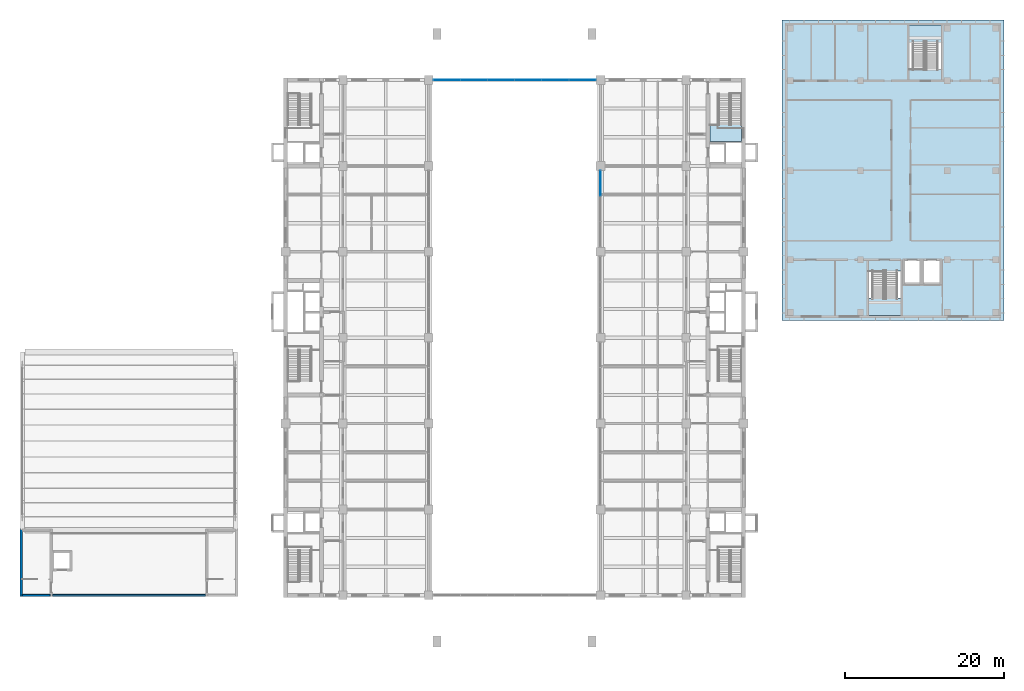
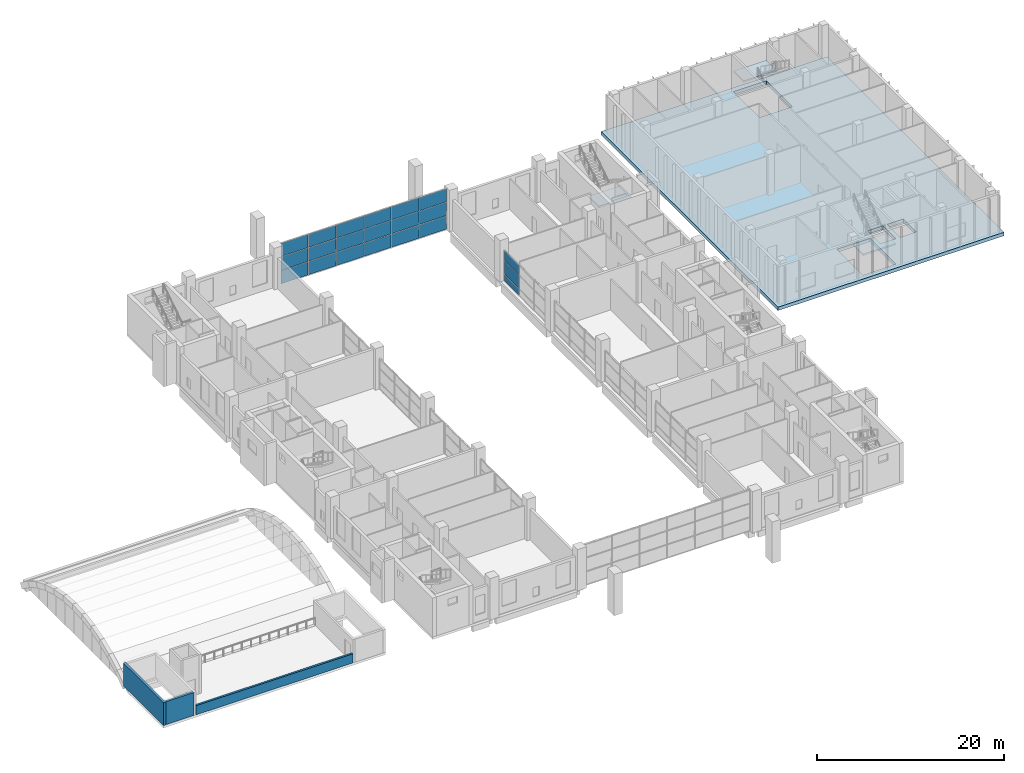
# One storey, part 15 of 32: 21 plates, 4 slabs, 3 walls, 5 elements without a shape of their own.
"""IFC4 building model written with IfcOpenShell, lengths in metres."""

from ifc_helpers import new_model, si_unit, direction, frame, frame_2d, origin, origin_2d, place, context, subcontext, project, spatial, polyline, rectangle, outline, extrude, material, layer, layer_set, type_object, element, aggregate, save


model = new_model("IFC4")

# Units and contexts
model_context = context("Model", 3, precision=1e-05, world=origin(), true_north=direction((0.0, 1.0)))
body_context = subcontext(model_context, "Body", "Model", "MODEL_VIEW")
ifc_project = project(units=[si_unit("LENGTHUNIT", "METRE"), si_unit("AREAUNIT", "SQUARE_METRE"), si_unit("VOLUMEUNIT", "CUBIC_METRE"), si_unit("PLANEANGLEUNIT", "RADIAN"), si_unit("MASSUNIT", "GRAM", prefix="KILO")], contexts=[model_context])

# Site, building, storey
site_placement = place(None, origin())
site = spatial("IfcSite", under=ifc_project, at=site_placement, CompositionType="ELEMENT")
building_placement = place(site_placement, origin())
building = spatial("IfcBuilding", under=site, at=building_placement, Name="Basin Gate Institute", CompositionType="ELEMENT")
storey_placement = place(building_placement, frame((0.0, 0.0, 11.39990234375)))
storey = spatial("IfcBuildingStorey", under=building, at=storey_placement, Name="L02", CompositionType="ELEMENT", Elevation=11.39990234375)

# Curtain wall, plates
ifc_material_1 = material(Name="Aluminium and glass curtain wall", Category="aluminium")
ifc_layer_1 = layer(ifc_material_1, 0.14990234375)
ifc_layer_set_1 = layer_set([ifc_layer_1], Name="Atrium curtain wall CW81")
curtain_wall_type_1 = type_object("IfcCurtainWallType", Name="Atrium curtain wall CW81", PredefinedType="NOTDEFINED", material=ifc_layer_set_1)
curtain_wall_1_placement = place(storey_placement, origin())
curtain_wall_1 = element("IfcCurtainWall", 1, at=curtain_wall_1_placement, inside=storey, type_object=curtain_wall_type_1, material=ifc_layer_set_1, Name="Atrium end screen N L02", PredefinedType="NOTDEFINED")
ifc_material_2 = material(Name="Toughened glass", Category="glass")
ifc_layer_2 = layer(ifc_material_2, 0.028076171875)
ifc_layer_set_2 = layer_set([ifc_layer_2], Name="Atrium glass panel PN81")
plate_type_1 = type_object("IfcPlateType", Name="Atrium glass panel PN81", PredefinedType="CURTAIN_PANEL", material=ifc_layer_set_2)
plate_1_placement = place(storey_placement, frame((81.473388671875, 99.89990234375, 0.06005859375), z_axis=(0.0, 0.0, 1.0), x_axis=(1.0, 0.0, 0.0)))
plate_1 = element("IfcPlate", 2, at=plate_1_placement, type_object=plate_type_1, material=ifc_layer_set_2, Name="CW81 panel 1.1", PredefinedType="CURTAIN_PANEL", context=body_context, shape_type="SweptSolid", body=[
    extrude(rectangle(XDim=3.32666015625, YDim=0.028076171875, at=origin_2d()), origin(), (0.0, 0.0, 1.0), 1.7099609375),
])
plate_2_placement = place(storey_placement, frame((81.473388671875, 99.89990234375, 1.830078125), z_axis=(0.0, 0.0, 1.0), x_axis=(1.0, 0.0, 0.0)))
plate_2 = element("IfcPlate", 3, at=plate_2_placement, type_object=plate_type_1, material=ifc_layer_set_2, Name="CW81 panel 1.2", PredefinedType="CURTAIN_PANEL", context=body_context, shape_type="SweptSolid", body=[
    extrude(rectangle(XDim=3.32666015625, YDim=0.028076171875, at=origin_2d()), origin(), (0.0, 0.0, 1.0), 1.739990234375),
])
plate_3_placement = place(storey_placement, frame((81.473388671875, 99.89990234375, 3.630126953125), z_axis=(0.0, 0.0, 1.0), x_axis=(1.0, 0.0, 0.0)))
plate_3 = element("IfcPlate", 4, at=plate_3_placement, type_object=plate_type_1, material=ifc_layer_set_2, Name="CW81 panel 1.3", PredefinedType="CURTAIN_PANEL", context=body_context, shape_type="SweptSolid", body=[
    extrude(rectangle(XDim=3.32666015625, YDim=0.028076171875, at=origin_2d()), origin(), (0.0, 0.0, 1.0), 1.7099609375),
])
plate_4_placement = place(storey_placement, frame((84.875, 99.89990234375, 0.06005859375), z_axis=(0.0, 0.0, 1.0), x_axis=(1.0, 0.0, 0.0)))
plate_4 = element("IfcPlate", 5, at=plate_4_placement, type_object=plate_type_1, material=ifc_layer_set_2, Name="CW81 panel 2.1", PredefinedType="CURTAIN_PANEL", context=body_context, shape_type="SweptSolid", body=[
    extrude(rectangle(XDim=3.356689453125, YDim=0.028076171875, at=origin_2d()), origin(), (0.0, 0.0, 1.0), 1.7099609375),
])
plate_5_placement = place(storey_placement, frame((84.875, 99.89990234375, 1.830078125), z_axis=(0.0, 0.0, 1.0), x_axis=(1.0, 0.0, 0.0)))
plate_5 = element("IfcPlate", 6, at=plate_5_placement, type_object=plate_type_1, material=ifc_layer_set_2, Name="CW81 panel 2.2", PredefinedType="CURTAIN_PANEL", context=body_context, shape_type="SweptSolid", body=[
    extrude(rectangle(XDim=3.356689453125, YDim=0.028076171875, at=origin_2d()), origin(), (0.0, 0.0, 1.0), 1.739990234375),
])
plate_6_placement = place(storey_placement, frame((84.875, 99.89990234375, 3.630126953125), z_axis=(0.0, 0.0, 1.0), x_axis=(1.0, 0.0, 0.0)))
plate_6 = element("IfcPlate", 7, at=plate_6_placement, type_object=plate_type_1, material=ifc_layer_set_2, Name="CW81 panel 2.3", PredefinedType="CURTAIN_PANEL", context=body_context, shape_type="SweptSolid", body=[
    extrude(rectangle(XDim=3.356689453125, YDim=0.028076171875, at=origin_2d()), origin(), (0.0, 0.0, 1.0), 1.7099609375),
])
plate_7_placement = place(storey_placement, frame((88.291748046875, 99.89990234375, 0.06005859375), z_axis=(0.0, 0.0, 1.0), x_axis=(1.0, 0.0, 0.0)))
plate_7 = element("IfcPlate", 8, at=plate_7_placement, type_object=plate_type_1, material=ifc_layer_set_2, Name="CW81 panel 3.1", PredefinedType="CURTAIN_PANEL", context=body_context, shape_type="SweptSolid", body=[
    extrude(rectangle(XDim=3.356689453125, YDim=0.028076171875, at=origin_2d()), origin(), (0.0, 0.0, 1.0), 1.7099609375),
])
plate_8_placement = place(storey_placement, frame((88.291748046875, 99.89990234375, 1.830078125), z_axis=(0.0, 0.0, 1.0), x_axis=(1.0, 0.0, 0.0)))
plate_8 = element("IfcPlate", 9, at=plate_8_placement, type_object=plate_type_1, material=ifc_layer_set_2, Name="CW81 panel 3.2", PredefinedType="CURTAIN_PANEL", context=body_context, shape_type="SweptSolid", body=[
    extrude(rectangle(XDim=3.356689453125, YDim=0.028076171875, at=origin_2d()), origin(), (0.0, 0.0, 1.0), 1.739990234375),
])
plate_9_placement = place(storey_placement, frame((88.291748046875, 99.89990234375, 3.630126953125), z_axis=(0.0, 0.0, 1.0), x_axis=(1.0, 0.0, 0.0)))
plate_9 = element("IfcPlate", 10, at=plate_9_placement, type_object=plate_type_1, material=ifc_layer_set_2, Name="CW81 panel 3.3", PredefinedType="CURTAIN_PANEL", context=body_context, shape_type="SweptSolid", body=[
    extrude(rectangle(XDim=3.356689453125, YDim=0.028076171875, at=origin_2d()), origin(), (0.0, 0.0, 1.0), 1.7099609375),
])
plate_10_placement = place(storey_placement, frame((91.708251953125, 99.89990234375, 0.06005859375), z_axis=(0.0, 0.0, 1.0), x_axis=(1.0, 0.0, 0.0)))
plate_10 = element("IfcPlate", 11, at=plate_10_placement, type_object=plate_type_1, material=ifc_layer_set_2, Name="CW81 panel 4.1", PredefinedType="CURTAIN_PANEL", context=body_context, shape_type="SweptSolid", body=[
    extrude(rectangle(XDim=3.356689453125, YDim=0.028076171875, at=origin_2d()), origin(), (0.0, 0.0, 1.0), 1.7099609375),
])
plate_11_placement = place(storey_placement, frame((91.708251953125, 99.89990234375, 1.830078125), z_axis=(0.0, 0.0, 1.0), x_axis=(1.0, 0.0, 0.0)))
plate_11 = element("IfcPlate", 12, at=plate_11_placement, type_object=plate_type_1, material=ifc_layer_set_2, Name="CW81 panel 4.2", PredefinedType="CURTAIN_PANEL", context=body_context, shape_type="SweptSolid", body=[
    extrude(rectangle(XDim=3.356689453125, YDim=0.028076171875, at=origin_2d()), origin(), (0.0, 0.0, 1.0), 1.739990234375),
])
plate_12_placement = place(storey_placement, frame((91.708251953125, 99.89990234375, 3.630126953125), z_axis=(0.0, 0.0, 1.0), x_axis=(1.0, 0.0, 0.0)))
plate_12 = element("IfcPlate", 13, at=plate_12_placement, type_object=plate_type_1, material=ifc_layer_set_2, Name="CW81 panel 4.3", PredefinedType="CURTAIN_PANEL", context=body_context, shape_type="SweptSolid", body=[
    extrude(rectangle(XDim=3.356689453125, YDim=0.028076171875, at=origin_2d()), origin(), (0.0, 0.0, 1.0), 1.7099609375),
])
plate_13_placement = place(storey_placement, frame((95.125, 99.89990234375, 0.06005859375), z_axis=(0.0, 0.0, 1.0), x_axis=(1.0, 0.0, 0.0)))
plate_13 = element("IfcPlate", 14, at=plate_13_placement, type_object=plate_type_1, material=ifc_layer_set_2, Name="CW81 panel 5.1", PredefinedType="CURTAIN_PANEL", context=body_context, shape_type="SweptSolid", body=[
    extrude(rectangle(XDim=3.356689453125, YDim=0.028076171875, at=origin_2d()), origin(), (0.0, 0.0, 1.0), 1.7099609375),
])
plate_14_placement = place(storey_placement, frame((95.125, 99.89990234375, 1.830078125), z_axis=(0.0, 0.0, 1.0), x_axis=(1.0, 0.0, 0.0)))
plate_14 = element("IfcPlate", 15, at=plate_14_placement, type_object=plate_type_1, material=ifc_layer_set_2, Name="CW81 panel 5.2", PredefinedType="CURTAIN_PANEL", context=body_context, shape_type="SweptSolid", body=[
    extrude(rectangle(XDim=3.356689453125, YDim=0.028076171875, at=origin_2d()), origin(), (0.0, 0.0, 1.0), 1.739990234375),
])
plate_15_placement = place(storey_placement, frame((95.125, 99.89990234375, 3.630126953125), z_axis=(0.0, 0.0, 1.0), x_axis=(1.0, 0.0, 0.0)))
plate_15 = element("IfcPlate", 16, at=plate_15_placement, type_object=plate_type_1, material=ifc_layer_set_2, Name="CW81 panel 5.3", PredefinedType="CURTAIN_PANEL", context=body_context, shape_type="SweptSolid", body=[
    extrude(rectangle(XDim=3.356689453125, YDim=0.028076171875, at=origin_2d()), origin(), (0.0, 0.0, 1.0), 1.7099609375),
])
plate_16_placement = place(storey_placement, frame((98.526611328125, 99.89990234375, 0.06005859375), z_axis=(0.0, 0.0, 1.0), x_axis=(1.0, 0.0, 0.0)))
plate_16 = element("IfcPlate", 17, at=plate_16_placement, type_object=plate_type_1, material=ifc_layer_set_2, Name="CW81 panel 6.1", PredefinedType="CURTAIN_PANEL", context=body_context, shape_type="SweptSolid", body=[
    extrude(rectangle(XDim=3.32666015625, YDim=0.028076171875, at=origin_2d()), origin(), (0.0, 0.0, 1.0), 1.7099609375),
])
plate_17_placement = place(storey_placement, frame((98.526611328125, 99.89990234375, 1.830078125), z_axis=(0.0, 0.0, 1.0), x_axis=(1.0, 0.0, 0.0)))
plate_17 = element("IfcPlate", 18, at=plate_17_placement, type_object=plate_type_1, material=ifc_layer_set_2, Name="CW81 panel 6.2", PredefinedType="CURTAIN_PANEL", context=body_context, shape_type="SweptSolid", body=[
    extrude(rectangle(XDim=3.32666015625, YDim=0.028076171875, at=origin_2d()), origin(), (0.0, 0.0, 1.0), 1.739990234375),
])
plate_18_placement = place(storey_placement, frame((98.526611328125, 99.89990234375, 3.630126953125), z_axis=(0.0, 0.0, 1.0), x_axis=(1.0, 0.0, 0.0)))
plate_18 = element("IfcPlate", 19, at=plate_18_placement, type_object=plate_type_1, material=ifc_layer_set_2, Name="CW81 panel 6.3", PredefinedType="CURTAIN_PANEL", context=body_context, shape_type="SweptSolid", body=[
    extrude(rectangle(XDim=3.32666015625, YDim=0.028076171875, at=origin_2d()), origin(), (0.0, 0.0, 1.0), 1.7099609375),
])
aggregate(curtain_wall_1, [plate_1, plate_2, plate_3, plate_4, plate_5, plate_6, plate_7, plate_8, plate_9, plate_10, plate_11, plate_12, plate_13, plate_14, plate_15, plate_16, plate_17, plate_18])

# Stair, slab
ifc_material_3 = material(Name="Concrete 40 MPa", Category="concrete")
stair_type_1 = type_object("IfcStairType", Name="Block stair ST", PredefinedType="HALF_TURN_STAIR", material=ifc_material_3)
stair_1_placement = place(storey_placement, origin())
stair_1 = element("IfcStair", 20, at=stair_1_placement, inside=storey, type_object=stair_type_1, material=ifc_material_3, Name="Clean block stair ST-C3 L02", PredefinedType="HALF_TURN_STAIR")
ifc_material_4 = material(Name="Concrete 40 MPa", Category="concrete")
ifc_layer_3 = layer(ifc_material_4, 0.199951171875)
ifc_layer_set_3 = layer_set([ifc_layer_3], Name="Concrete 40 MPa")
slab_type_1 = type_object("IfcSlabType", Name="Block stair landing", PredefinedType="LANDING", material=ifc_layer_set_3)
slab_1_placement = place(storey_placement, frame((0.0, 0.0, 2.5)))
slab_1 = element("IfcSlab", 21, at=slab_1_placement, type_object=slab_type_1, material=ifc_layer_set_3, Name="ST-C3 landing 1", PredefinedType="LANDING", context=body_context, shape_type="SweptSolid", body=[
    extrude(outline(polyline([(134.52490234375, 70.300048828125), (138.574951171875, 70.300048828125), (138.574951171875, 72.455078125), (134.52490234375, 72.455078125), (134.52490234375, 70.300048828125)])), origin(), (0.0, 0.0, 1.0), 0.2001953125),
])
aggregate(stair_1, [slab_1])

stair_2_placement = place(storey_placement, origin())
stair_2 = element("IfcStair", 22, at=stair_2_placement, inside=storey, type_object=stair_type_1, material=ifc_material_3, Name="Clean block stair ST-C7 L02", PredefinedType="HALF_TURN_STAIR")
slab_2_placement = place(storey_placement, frame((0.0, 0.0, 2.5)))
slab_2 = element("IfcSlab", 23, at=slab_2_placement, type_object=slab_type_1, material=ifc_layer_set_3, Name="ST-C7 landing 1", PredefinedType="LANDING", context=body_context, shape_type="SweptSolid", body=[
    extrude(outline(polyline([(139.625, 104.64501953125), (143.675048828125, 104.64501953125), (143.675048828125, 106.800048828125), (139.625, 106.800048828125), (139.625, 104.64501953125)])), origin(), (0.0, 0.0, 1.0), 0.2001953125),
])
aggregate(stair_2, [slab_2])

# Slab
ifc_material_5 = material(Name="Concrete 40 MPa", Category="concrete")
ifc_layer_4 = layer(ifc_material_5, 0.449951171875)
ifc_layer_set_4 = layer_set([ifc_layer_4], Name="Concrete 40 MPa")
slab_type_2 = type_object("IfcSlabType", Name="Slab SL845 R180", PredefinedType="FLOOR", material=ifc_layer_set_4)
slab_3_placement = place(storey_placement, frame((0.0, 0.0, -0.449951171875)))
element("IfcSlab", 24, at=slab_3_placement, inside=storey, type_object=slab_type_2, material=ifc_layer_set_4, Name="Clean block floor slab R180 L02", PredefinedType="FLOOR", context=body_context, shape_type="SweptSolid", body=[
    extrude(outline(polyline([(123.64990234375, 107.449951171875), (123.64990234375, 69.64990234375), (151.550048828125, 69.64990234375), (151.550048828125, 107.449951171875), (123.64990234375, 107.449951171875)]), holes=[polyline([(134.52490234375, 75.85498046875), (138.574951171875, 75.85498046875), (138.574951171875, 70.300048828125), (134.52490234375, 70.300048828125), (134.52490234375, 75.85498046875)]), polyline([(139.074951171875, 77.175048828125), (140.97509765625, 77.175048828125), (140.97509765625, 74.425048828125), (139.074951171875, 74.425048828125), (139.074951171875, 77.175048828125)]), polyline([(141.47509765625, 77.175048828125), (143.47509765625, 77.175048828125), (143.47509765625, 74.425048828125), (141.47509765625, 74.425048828125), (141.47509765625, 77.175048828125)]), polyline([(139.625, 106.800048828125), (143.675048828125, 106.800048828125), (143.675048828125, 101.2451171875), (139.625, 101.2451171875), (139.625, 106.800048828125)])]), origin(), (0.0, 0.0, 1.0), 0.449951171875),
])

# Curtain wall, plates
ifc_material_6 = material(Name="Fire-resistant glazing in steel-free frame", Category="steel")
ifc_layer_5 = layer(ifc_material_6, 0.199951171875)
ifc_layer_set_5 = layer_set([ifc_layer_5], Name="Fire-resistant glazing in steel-free frame")
curtain_wall_type_2 = type_object("IfcCurtainWallType", Name="Atrium rated curtain wall CW3", PredefinedType="NOTDEFINED", material=ifc_layer_set_5)
curtain_wall_2_placement = place(storey_placement, origin())
curtain_wall_2 = element("IfcCurtainWall", 25, at=curtain_wall_2_placement, inside=storey, type_object=curtain_wall_type_2, material=ifc_layer_set_5, Name="Atrium rated curtain wall E wing atrium bay 5 L02", PredefinedType="NOTDEFINED")
ifc_material_7 = material(Name="Fire-resisting board panel")
ifc_layer_6 = layer(ifc_material_7, 0.050048828125)
ifc_layer_set_6 = layer_set([ifc_layer_6], Name="Spandrel panel PN4")
plate_type_2 = type_object("IfcPlateType", Name="Spandrel panel PN4", PredefinedType="CURTAIN_PANEL", material=ifc_layer_set_6)
plate_19_placement = place(storey_placement, frame((100.800048828125, 86.918212890625, 0.06005859375), z_axis=(0.0, 0.0, 1.0), x_axis=(0.0, 1.0, 0.0)))
plate_19 = element("IfcPlate", 26, at=plate_19_placement, type_object=plate_type_2, material=ifc_layer_set_6, Name="CW3 spandrel panel 3.1", PredefinedType="CURTAIN_PANEL", context=body_context, shape_type="SweptSolid", body=[
    extrude(rectangle(XDim=3.143310546875, YDim=0.050048828125, at=origin_2d()), origin(), (0.0, 0.0, 1.0), 0.81005859375),
])
plate_20_placement = place(storey_placement, frame((100.800048828125, 86.918212890625, 2.730224609375), z_axis=(0.0, 0.0, 1.0), x_axis=(0.0, 1.0, 0.0)))
plate_20 = element("IfcPlate", 27, at=plate_20_placement, type_object=plate_type_2, material=ifc_layer_set_6, Name="CW3 spandrel panel 3.3", PredefinedType="CURTAIN_PANEL", context=body_context, shape_type="SweptSolid", body=[
    extrude(rectangle(XDim=3.143310546875, YDim=0.050048828125, at=origin_2d()), origin(), (0.0, 0.0, 1.0), 1.2099609375),
])

# Stair, slab
ifc_material_8 = material(Name="Concrete 40 MPa", Category="concrete")
stair_type_2 = type_object("IfcStairType", Name="Stair ST", PredefinedType="HALF_TURN_STAIR", material=ifc_material_8)
stair_3_placement = place(storey_placement, origin())
stair_3 = element("IfcStair", 28, at=stair_3_placement, inside=storey, type_object=stair_type_2, material=ifc_material_8, Name="Special safe stair ST-EN L02", PredefinedType="HALF_TURN_STAIR")
ifc_material_9 = material(Name="Concrete 40 MPa", Category="concrete")
ifc_layer_7 = layer(ifc_material_9, 0.199951171875)
ifc_layer_set_7 = layer_set([ifc_layer_7], Name="Concrete 40 MPa")
slab_type_3 = type_object("IfcSlabType", Name="Stair landing LN REI 180", PredefinedType="LANDING", material=ifc_layer_set_7)
slab_4_placement = place(storey_placement, frame((0.0, 0.0, 2.5)))
slab_4 = element("IfcSlab", 29, at=slab_4_placement, type_object=slab_type_3, material=ifc_layer_set_7, Name="Stair landing ST-EN-L1 L02", PredefinedType="LANDING", context=body_context, shape_type="SweptSolid", body=[
    extrude(outline(polyline([(118.550048828125, 94.35009765625), (114.550048828125, 94.35009765625), (114.550048828125, 92.14990234375), (118.550048828125, 92.14990234375), (118.550048828125, 94.35009765625)])), origin(), (0.0, 0.0, 1.0), 0.2001953125),
])
aggregate(stair_3, [slab_4])

# Plate
ifc_material_10 = material(Name="Fire-resistant glazing", Category="glass")
ifc_layer_8 = layer(ifc_material_10, 0.0400390625)
ifc_layer_set_8 = layer_set([ifc_layer_8], Name="Vision panel PN3")
plate_type_3 = type_object("IfcPlateType", Name="Vision panel PN3", PredefinedType="CURTAIN_PANEL", material=ifc_layer_set_8)
plate_21_placement = place(storey_placement, frame((100.800048828125, 86.918212890625, 0.93017578125), z_axis=(0.0, 0.0, 1.0), x_axis=(0.0, 1.0, 0.0)))
plate_21 = element("IfcPlate", 30, at=plate_21_placement, type_object=plate_type_3, material=ifc_layer_set_8, Name="CW3 vision panel 3.2", PredefinedType="CURTAIN_PANEL", context=body_context, shape_type="SweptSolid", body=[
    extrude(rectangle(XDim=3.143310546875, YDim=0.0400390625, at=origin_2d()), origin(), (0.0, 0.0, 1.0), 1.739990234375),
])

aggregate(curtain_wall_2, [plate_19, plate_21, plate_20])

# Walls
ifc_material_11 = material(Name="Concrete 40 MPa", Category="concrete")
ifc_layer_9 = layer(ifc_material_11, 0.25)
ifc_layer_set_9 = layer_set([ifc_layer_9], Name="Concrete 40 MPa")
wall_type_1 = type_object("IfcWallType", Name="Block enclosure wall W73 REI 120", PredefinedType="SOLIDWALL", material=ifc_layer_set_9)
wall_1_placement = place(storey_placement, frame((28.10009765625, 35.10009765625, 0.0), z_axis=(0.0, 0.0, 1.0), x_axis=(1.0, 0.0, 0.0)))
element("IfcWall", 31, at=wall_1_placement, inside=storey, type_object=wall_type_1, material=ifc_layer_set_9, Name="Roof stair head house W south wall", PredefinedType="SOLIDWALL", context=body_context, shape_type="SweptSolid", body=[
    extrude(rectangle(XDim=3.474853515625, YDim=0.25, at=frame_2d((1.7373046875, 0.0))), origin(), (0.0, 0.0, 1.0), 3.0),
])
ifc_material_12 = material(Name="Concrete 40 MPa", Category="concrete")
ifc_layer_10 = layer(ifc_material_12, 0.300048828125)
ifc_layer_set_10 = layer_set([ifc_layer_10], Name="Concrete 40 MPa")
wall_type_2 = type_object("IfcWallType", Name="Block external wall W71 REI 180", PredefinedType="SOLIDWALL", material=ifc_layer_set_10)
wall_2_placement = place(storey_placement, frame((27.949951171875, 34.949951171875, 0.0), z_axis=(0.0, 0.0, 1.0), x_axis=(0.0, 1.0, 0.0)))
element("IfcWall", 32, at=wall_2_placement, inside=storey, type_object=wall_type_2, material=ifc_layer_set_10, Name="Roof stair head house W outer wall", PredefinedType="SOLIDWALL", context=body_context, shape_type="SweptSolid", body=[
    extrude(rectangle(XDim=8.55615234375, YDim=0.300048828125, at=frame_2d((4.278076171875, 0.0))), origin(), (0.0, 0.0, 1.0), 3.0),
])
ifc_material_13 = material(Name="Concrete 40 MPa", Category="concrete")
ifc_layer_11 = layer(ifc_material_13, 0.25)
ifc_layer_set_11 = layer_set([ifc_layer_11], Name="Concrete 40 MPa")
wall_type_3 = type_object("IfcWallType", Name="Block parapet W75 EI 180", PredefinedType="SOLIDWALL", material=ifc_layer_set_11)
wall_3_placement = place(storey_placement, frame((31.824951171875, 35.074951171875, 0.0), z_axis=(0.0, 0.0, 1.0), x_axis=(1.0, 0.0, 0.0)))
element("IfcWall", 33, at=wall_3_placement, inside=storey, type_object=wall_type_3, material=ifc_layer_set_11, Name="Roof garden parapet south", PredefinedType="SOLIDWALL", context=body_context, shape_type="SweptSolid", body=[
    extrude(rectangle(XDim=19.35009765625, YDim=0.25, at=frame_2d((9.675048828125, 0.0))), origin(), (0.0, 0.0, 1.0), 1.2001953125),
])

save(model, "model.ifc")
